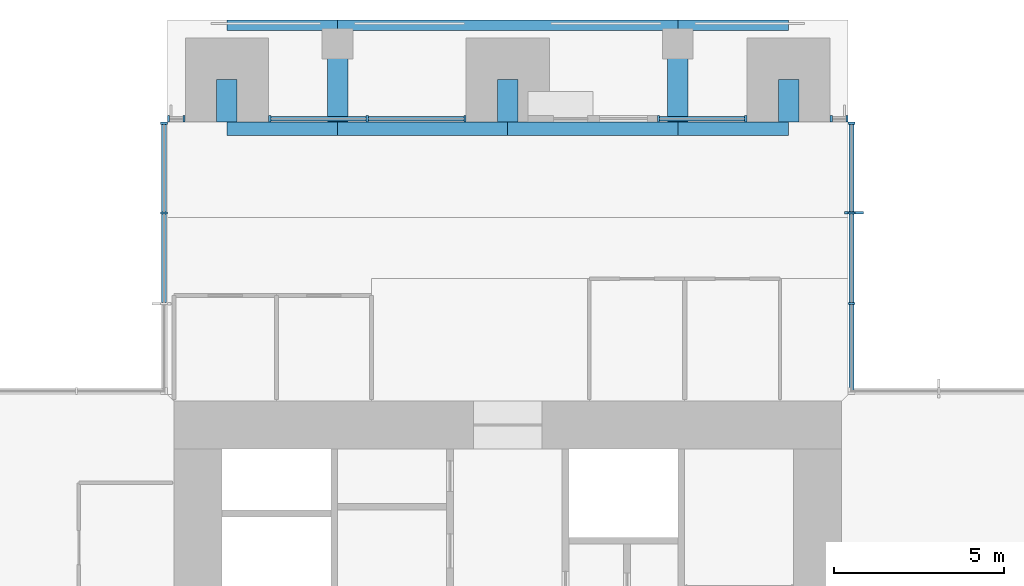
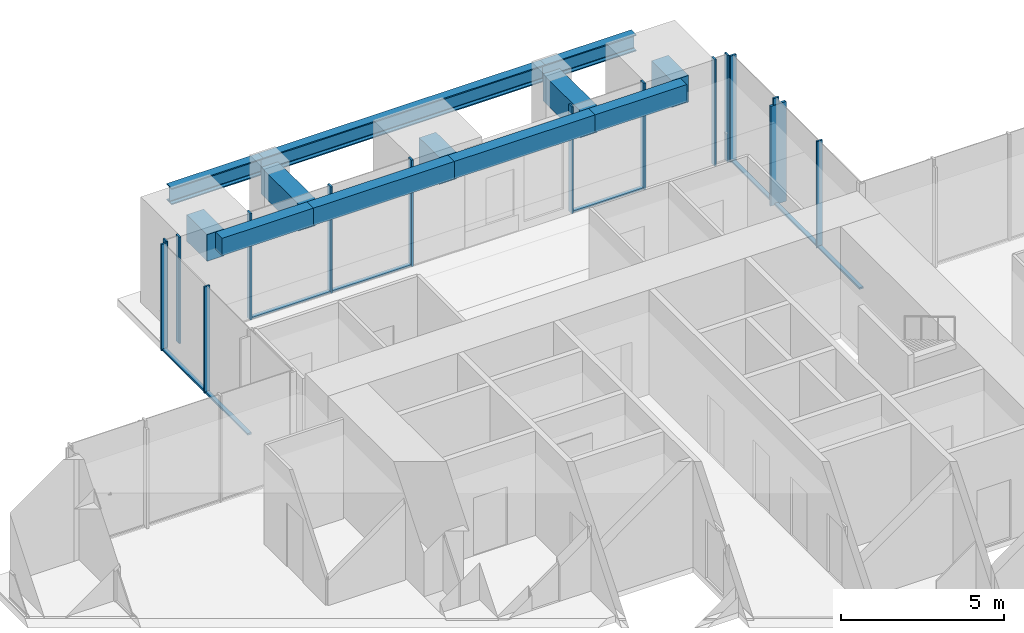
# One storey, part 5 of 17: 23 members, 12 beams, 6 elements without a shape of their own.
"""IFC4 building model written with IfcOpenShell, lengths in metres."""

from ifc_helpers import new_model, si_unit, direction, frame, origin, origin_2d, place, context, subcontext, project, spatial, rectangle, i_section, extrude, material, material_profile, profile_set, type_object, element, aggregate, save


model = new_model("IFC4")

# Units and contexts
model_context = context("Model", 3, precision=1e-05, world=origin(), true_north=direction((0.0, 1.0)))
body_context = subcontext(model_context, "Body", "Model", "MODEL_VIEW")
ifc_project = project(units=[si_unit("LENGTHUNIT", "METRE"), si_unit("AREAUNIT", "SQUARE_METRE"), si_unit("VOLUMEUNIT", "CUBIC_METRE"), si_unit("PLANEANGLEUNIT", "RADIAN"), si_unit("MASSUNIT", "GRAM", prefix="KILO")], contexts=[model_context])

# Site, building, storey
site_placement = place(None, origin())
site = spatial("IfcSite", under=ifc_project, at=site_placement, CompositionType="ELEMENT")
building_placement = place(site_placement, origin())
building = spatial("IfcBuilding", under=site, at=building_placement, Name="Svetlomir Tower", CompositionType="ELEMENT")
storey_placement = place(building_placement, frame((0.0, 0.0, 202.5)))
storey = spatial("IfcBuildingStorey", under=building, at=storey_placement, Name="L48", CompositionType="ELEMENT", Elevation=202.5)

# Curtain wall, members
ifc_material_1 = material(Name="Bronze anodised aluminium curtain wall", Category="aluminium")
curtain_wall_type = type_object("IfcCurtainWallType", Name="CURTAIN WALL CW1 TOWER OFFICE", PredefinedType="NOTDEFINED", material=ifc_material_1)
curtain_wall_1_placement = place(storey_placement, origin())
curtain_wall_1 = element("IfcCurtainWall", 1, at=curtain_wall_1_placement, inside=storey, type_object=curtain_wall_type, Name="Curtain wall CW1 L48", PredefinedType="NOTDEFINED")
ifc_material_2 = material(Name="Bronze anodised aluminium", Category="aluminium")
ifc_material_profile_1 = material_profile(ifc_material_2, rectangle(XDim=0.080078125, YDim=0.550048828125, at=origin_2d()), Name="FIN 80x550")
ifc_profile_set_1 = profile_set([ifc_material_profile_1], Name="Bronze anodised aluminium 6063-T6")
member_type_1 = type_object("IfcMemberType", Name="BRONZE FIN 80x550", PredefinedType="USERDEFINED", material=ifc_profile_set_1)
member_1_placement = place(storey_placement, frame((31.175048828125, 36.333251953125, 0.0), z_axis=(0.0, 0.0, 1.0), x_axis=(0.0, 1.0, 0.0)))
member_1 = element("IfcMember", 2, at=member_1_placement, type_object=member_type_1, Name="Bronze fin L48", ObjectType="FIN", PredefinedType="USERDEFINED", context=body_context, shape_type="SweptSolid", body=[
    extrude(rectangle(XDim=0.080078125, YDim=0.550048828125, at=origin_2d()), origin(), (0.0, 0.0, 1.0), 3.75),
])
ifc_material_3 = material(Name="Bronze anodised aluminium", Category="aluminium")
ifc_material_profile_2 = material_profile(ifc_material_3, rectangle(XDim=0.06494140625, YDim=0.199951171875, at=origin_2d()), Name="AL 65x200")
ifc_profile_set_2 = profile_set([ifc_material_profile_2], Name="Bronze anodised aluminium 6063-T6")
member_type_2 = type_object("IfcMemberType", Name="CW1 MULLION 65x200", PredefinedType="MULLION", material=ifc_profile_set_2)
member_2_placement = place(storey_placement, frame((31.10009765625, 33.666748046875, 0.0), z_axis=(0.0, 0.0, 1.0), x_axis=(0.0, 1.0, 0.0)))
member_2 = element("IfcMember", 3, at=member_2_placement, type_object=member_type_2, Name="CW1 mullion 2", PredefinedType="MULLION", context=body_context, shape_type="SweptSolid", body=[
    extrude(rectangle(XDim=0.06494140625, YDim=0.199951171875, at=origin_2d()), origin(), (0.0, 0.0, 1.0), 4.0),
])
member_3_placement = place(storey_placement, frame((31.10009765625, 36.333251953125, 0.0), z_axis=(0.0, 0.0, 1.0), x_axis=(0.0, 1.0, 0.0)))
member_3 = element("IfcMember", 4, at=member_3_placement, type_object=member_type_2, Name="CW1 mullion 3", PredefinedType="MULLION", context=body_context, shape_type="SweptSolid", body=[
    extrude(rectangle(XDim=0.06494140625, YDim=0.199951171875, at=origin_2d()), origin(), (0.0, 0.0, 1.0), 4.0),
])
member_4_placement = place(storey_placement, frame((31.10009765625, 38.967529296875, 0.0), z_axis=(0.0, 0.0, 1.0), x_axis=(0.0, 1.0, 0.0)))
member_4 = element("IfcMember", 5, at=member_4_placement, type_object=member_type_2, Name="CW1 mullion 4", PredefinedType="MULLION", context=body_context, shape_type="SweptSolid", body=[
    extrude(rectangle(XDim=0.06494140625, YDim=0.199951171875, at=origin_2d()), origin(), (0.0, 0.0, 1.0), 4.0),
])

curtain_wall_2_placement = place(storey_placement, origin())
curtain_wall_2 = element("IfcCurtainWall", 6, at=curtain_wall_2_placement, inside=storey, type_object=curtain_wall_type, Name="Curtain wall CW1 L48", PredefinedType="NOTDEFINED")
member_5_placement = place(storey_placement, frame((30.967529296875, 39.10009765625, 0.0), z_axis=(0.0, 0.0, 1.0), x_axis=(-1.0, 0.0, 0.0)))
member_5 = element("IfcMember", 7, at=member_5_placement, type_object=member_type_2, Name="CW1 mullion 1", PredefinedType="MULLION", context=body_context, shape_type="SweptSolid", body=[
    extrude(rectangle(XDim=0.06494140625, YDim=0.199951171875, at=origin_2d()), origin(), (0.0, 0.0, 1.0), 4.0),
])
member_6_placement = place(storey_placement, frame((30.507568359375, 39.10009765625, 0.0), z_axis=(0.0, 0.0, 1.0), x_axis=(-1.0, 0.0, 0.0)))
member_6 = element("IfcMember", 8, at=member_6_placement, type_object=member_type_2, Name="CW1 mullion 2", PredefinedType="MULLION", context=body_context, shape_type="SweptSolid", body=[
    extrude(rectangle(XDim=0.06494140625, YDim=0.199951171875, at=origin_2d()), origin(), (0.0, 0.0, 1.0), 4.0),
])
aggregate(curtain_wall_2, [member_5, member_6])

curtain_wall_3_placement = place(storey_placement, origin())
curtain_wall_3 = element("IfcCurtainWall", 9, at=curtain_wall_3_placement, inside=storey, type_object=curtain_wall_type, Name="Curtain wall CW1 L48", PredefinedType="NOTDEFINED")
member_7_placement = place(storey_placement, frame((27.992431640625, 39.10009765625, 0.0), z_axis=(0.0, 0.0, 1.0), x_axis=(-1.0, 0.0, 0.0)))
member_7 = element("IfcMember", 10, at=member_7_placement, type_object=member_type_2, Name="CW1 mullion 1", PredefinedType="MULLION", context=body_context, shape_type="SweptSolid", body=[
    extrude(rectangle(XDim=0.06494140625, YDim=0.199951171875, at=origin_2d()), origin(), (0.0, 0.0, 1.0), 4.0),
])
member_8_placement = place(storey_placement, frame((25.4326171875, 39.10009765625, 0.0), z_axis=(0.0, 0.0, 1.0), x_axis=(-1.0, 0.0, 0.0)))
member_8 = element("IfcMember", 11, at=member_8_placement, type_object=member_type_2, Name="CW1 mullion 2", PredefinedType="MULLION", context=body_context, shape_type="SweptSolid", body=[
    extrude(rectangle(XDim=0.06494140625, YDim=0.199951171875, at=origin_2d()), origin(), (0.0, 0.0, 1.0), 4.0),
])

curtain_wall_4_placement = place(storey_placement, origin())
curtain_wall_4 = element("IfcCurtainWall", 12, at=curtain_wall_4_placement, inside=storey, type_object=curtain_wall_type, Name="Curtain wall CW1 L48", PredefinedType="NOTDEFINED")
member_9_placement = place(storey_placement, frame((19.742431640625, 39.10009765625, 0.0), z_axis=(0.0, 0.0, 1.0), x_axis=(-1.0, 0.0, 0.0)))
member_9 = element("IfcMember", 13, at=member_9_placement, type_object=member_type_2, Name="CW1 mullion 1", PredefinedType="MULLION", context=body_context, shape_type="SweptSolid", body=[
    extrude(rectangle(XDim=0.06494140625, YDim=0.199951171875, at=origin_2d()), origin(), (0.0, 0.0, 1.0), 4.0),
])
member_10_placement = place(storey_placement, frame((16.875, 39.10009765625, 0.0), z_axis=(0.0, 0.0, 1.0), x_axis=(-1.0, 0.0, 0.0)))
member_10 = element("IfcMember", 14, at=member_10_placement, type_object=member_type_2, Name="CW1 mullion 2", PredefinedType="MULLION", context=body_context, shape_type="SweptSolid", body=[
    extrude(rectangle(XDim=0.06494140625, YDim=0.199951171875, at=origin_2d()), origin(), (0.0, 0.0, 1.0), 4.0),
])
member_11_placement = place(storey_placement, frame((14.007568359375, 39.10009765625, 0.0), z_axis=(0.0, 0.0, 1.0), x_axis=(-1.0, 0.0, 0.0)))
member_11 = element("IfcMember", 15, at=member_11_placement, type_object=member_type_2, Name="CW1 mullion 3", PredefinedType="MULLION", context=body_context, shape_type="SweptSolid", body=[
    extrude(rectangle(XDim=0.06494140625, YDim=0.199951171875, at=origin_2d()), origin(), (0.0, 0.0, 1.0), 4.0),
])

curtain_wall_5_placement = place(storey_placement, origin())
curtain_wall_5 = element("IfcCurtainWall", 16, at=curtain_wall_5_placement, inside=storey, type_object=curtain_wall_type, Name="Curtain wall CW1 L48", PredefinedType="NOTDEFINED")
member_12_placement = place(storey_placement, frame((11.492431640625, 39.10009765625, 0.0), z_axis=(0.0, 0.0, 1.0), x_axis=(-1.0, 0.0, 0.0)))
member_12 = element("IfcMember", 17, at=member_12_placement, type_object=member_type_2, Name="CW1 mullion 1", PredefinedType="MULLION", context=body_context, shape_type="SweptSolid", body=[
    extrude(rectangle(XDim=0.06494140625, YDim=0.199951171875, at=origin_2d()), origin(), (0.0, 0.0, 1.0), 4.0),
])
member_13_placement = place(storey_placement, frame((11.032470703125, 39.10009765625, 0.0), z_axis=(0.0, 0.0, 1.0), x_axis=(-1.0, 0.0, 0.0)))
member_13 = element("IfcMember", 18, at=member_13_placement, type_object=member_type_2, Name="CW1 mullion 2", PredefinedType="MULLION", context=body_context, shape_type="SweptSolid", body=[
    extrude(rectangle(XDim=0.06494140625, YDim=0.199951171875, at=origin_2d()), origin(), (0.0, 0.0, 1.0), 4.0),
])
aggregate(curtain_wall_5, [member_12, member_13])

curtain_wall_6_placement = place(storey_placement, origin())
curtain_wall_6 = element("IfcCurtainWall", 19, at=curtain_wall_6_placement, inside=storey, type_object=curtain_wall_type, Name="Curtain wall CW1 L48", PredefinedType="NOTDEFINED")
member_14_placement = place(storey_placement, frame((10.89990234375, 38.967529296875, 0.0), z_axis=(0.0, 0.0, 1.0), x_axis=(0.0, -1.0, 0.0)))
member_14 = element("IfcMember", 20, at=member_14_placement, type_object=member_type_2, Name="CW1 mullion 1", PredefinedType="MULLION", context=body_context, shape_type="SweptSolid", body=[
    extrude(rectangle(XDim=0.06494140625, YDim=0.199951171875, at=origin_2d()), origin(), (0.0, 0.0, 1.0), 4.0),
])
member_15_placement = place(storey_placement, frame((10.89990234375, 36.333251953125, 0.0), z_axis=(0.0, 0.0, 1.0), x_axis=(0.0, -1.0, 0.0)))
member_15 = element("IfcMember", 21, at=member_15_placement, type_object=member_type_2, Name="CW1 mullion 2", PredefinedType="MULLION", context=body_context, shape_type="SweptSolid", body=[
    extrude(rectangle(XDim=0.06494140625, YDim=0.199951171875, at=origin_2d()), origin(), (0.0, 0.0, 1.0), 4.0),
])

# Member
ifc_material_4 = material(Name="Bronze anodised aluminium", Category="aluminium")
ifc_material_profile_3 = material_profile(ifc_material_4, rectangle(XDim=0.139892578125, YDim=0.06494140625, at=origin_2d()), Name="AL 140x65")
ifc_profile_set_3 = profile_set([ifc_material_profile_3], Name="Bronze anodised aluminium 6063-T6")
member_type_3 = type_object("IfcMemberType", Name="CW1 TRANSOM 65x140", PredefinedType="USERDEFINED", material=ifc_profile_set_3)
member_16_placement = place(storey_placement, frame((31.10009765625, 31.06494140625, 0.032470703125), z_axis=(0.0, 1.0, 0.0), x_axis=(-1.0, 0.0, 0.0)))
member_16 = element("IfcMember", 22, at=member_16_placement, type_object=member_type_3, Name="CW1 transom 1.1", ObjectType="TRANSOM", PredefinedType="USERDEFINED", context=body_context, shape_type="SweptSolid", body=[
    extrude(rectangle(XDim=0.139892578125, YDim=0.06494140625, at=origin_2d()), origin(), (0.0, 0.0, 1.0), 2.5693359375),
])

member_17_placement = place(storey_placement, frame((31.10009765625, 33.69921875, 0.032470703125), z_axis=(0.0, 1.0, 0.0), x_axis=(-1.0, 0.0, 0.0)))
member_17 = element("IfcMember", 23, at=member_17_placement, type_object=member_type_3, Name="CW1 transom 2.1", ObjectType="TRANSOM", PredefinedType="USERDEFINED", context=body_context, shape_type="SweptSolid", body=[
    extrude(rectangle(XDim=0.139892578125, YDim=0.06494140625, at=origin_2d()), origin(), (0.0, 0.0, 1.0), 2.6015625),
])

member_18_placement = place(storey_placement, frame((31.10009765625, 36.36572265625, 0.032470703125), z_axis=(0.0, 1.0, 0.0), x_axis=(-1.0, 0.0, 0.0)))
member_18 = element("IfcMember", 24, at=member_18_placement, type_object=member_type_3, Name="CW1 transom 3.1", ObjectType="TRANSOM", PredefinedType="USERDEFINED", context=body_context, shape_type="SweptSolid", body=[
    extrude(rectangle(XDim=0.139892578125, YDim=0.06494140625, at=origin_2d()), origin(), (0.0, 0.0, 1.0), 2.5693359375),
])

aggregate(curtain_wall_1, [member_2, member_3, member_4, member_16, member_17, member_18, member_1])

member_19_placement = place(storey_placement, frame((27.9599609375, 39.10009765625, 0.032470703125), z_axis=(-1.0, 0.0, 0.0), x_axis=(0.0, -1.0, 0.0)))
member_19 = element("IfcMember", 25, at=member_19_placement, type_object=member_type_3, Name="CW1 transom 1.1", ObjectType="TRANSOM", PredefinedType="USERDEFINED", context=body_context, shape_type="SweptSolid", body=[
    extrude(rectangle(XDim=0.139892578125, YDim=0.06494140625, at=origin_2d()), origin(), (0.0, 0.0, 1.0), 2.494873046875),
])

aggregate(curtain_wall_3, [member_7, member_8, member_19])

member_20_placement = place(storey_placement, frame((19.7099609375, 39.10009765625, 0.032470703125), z_axis=(-1.0, 0.0, 0.0), x_axis=(0.0, -1.0, 0.0)))
member_20 = element("IfcMember", 26, at=member_20_placement, type_object=member_type_3, Name="CW1 transom 1.1", ObjectType="TRANSOM", PredefinedType="USERDEFINED", context=body_context, shape_type="SweptSolid", body=[
    extrude(rectangle(XDim=0.139892578125, YDim=0.06494140625, at=origin_2d()), origin(), (0.0, 0.0, 1.0), 2.802490234375),
])

member_21_placement = place(storey_placement, frame((16.842529296875, 39.10009765625, 0.032470703125), z_axis=(-1.0, 0.0, 0.0), x_axis=(0.0, -1.0, 0.0)))
member_21 = element("IfcMember", 27, at=member_21_placement, type_object=member_type_3, Name="CW1 transom 2.1", ObjectType="TRANSOM", PredefinedType="USERDEFINED", context=body_context, shape_type="SweptSolid", body=[
    extrude(rectangle(XDim=0.139892578125, YDim=0.06494140625, at=origin_2d()), origin(), (0.0, 0.0, 1.0), 2.802490234375),
])

aggregate(curtain_wall_4, [member_9, member_10, member_11, member_20, member_21])

member_22_placement = place(storey_placement, frame((10.89990234375, 38.93505859375, 0.032470703125), z_axis=(0.0, -1.0, 0.0), x_axis=(1.0, 0.0, 0.0)))
member_22 = element("IfcMember", 28, at=member_22_placement, type_object=member_type_3, Name="CW1 transom 1.1", ObjectType="TRANSOM", PredefinedType="USERDEFINED", context=body_context, shape_type="SweptSolid", body=[
    extrude(rectangle(XDim=0.139892578125, YDim=0.06494140625, at=origin_2d()), origin(), (0.0, 0.0, 1.0), 2.5693359375),
])

member_23_placement = place(storey_placement, frame((10.89990234375, 36.30078125, 0.032470703125), z_axis=(0.0, -1.0, 0.0), x_axis=(1.0, 0.0, 0.0)))
member_23 = element("IfcMember", 29, at=member_23_placement, type_object=member_type_3, Name="CW1 transom 2.1", ObjectType="TRANSOM", PredefinedType="USERDEFINED", context=body_context, shape_type="SweptSolid", body=[
    extrude(rectangle(XDim=0.139892578125, YDim=0.06494140625, at=origin_2d()), origin(), (0.0, 0.0, 1.0), 2.6015625),
])

aggregate(curtain_wall_6, [member_14, member_15, member_22, member_23])

# Beams
ifc_material_5 = material(Name="Steel S355", Category="steel")
ifc_material_profile_4 = material_profile(ifc_material_5, i_section(OverallWidth=0.304931640625, OverallDepth=0.6201171875, WebThickness=0.02099609375, FlangeThickness=0.0400390625, FilletRadius=0.027099609375, at=origin_2d()), Name="HEM 600")
ifc_profile_set_4 = profile_set([ifc_material_profile_4], Name="Steel S355")
beam_type_1 = type_object("IfcBeamType", Name="EDGE BEAM HEM 600", PredefinedType="SPANDREL", material=ifc_profile_set_4)
beam_1_placement = place(storey_placement, frame((12.75, 41.847412109375, 3.43994140625), z_axis=(1.0, 0.0, 0.0), x_axis=(0.0, 1.0, 0.0)))
element("IfcBeam", 30, at=beam_1_placement, inside=storey, type_object=beam_type_1, Name="Edge beam 11/42 to 16/42 under L49", PredefinedType="SPANDREL", context=body_context, shape_type="SweptSolid", body=[
    extrude(i_section(OverallWidth=0.304931640625, OverallDepth=0.6201171875, WebThickness=0.02099609375, FlangeThickness=0.0400390625, FilletRadius=0.027099609375, at=origin_2d()), origin(), (0.0, 0.0, 1.0), 3.25),
])
beam_2_placement = place(storey_placement, frame((16.0, 41.847412109375, 3.43994140625), z_axis=(1.0, 0.0, 0.0), x_axis=(0.0, 1.0, 0.0)))
element("IfcBeam", 31, at=beam_2_placement, inside=storey, type_object=beam_type_1, Name="Edge beam 16/42 to 26/42 under L49", PredefinedType="SPANDREL", context=body_context, shape_type="SweptSolid", body=[
    extrude(i_section(OverallWidth=0.304931640625, OverallDepth=0.6201171875, WebThickness=0.02099609375, FlangeThickness=0.0400390625, FilletRadius=0.027099609375, at=origin_2d()), origin(), (0.0, 0.0, 1.0), 10.0),
])
beam_3_placement = place(storey_placement, frame((26.0, 41.847412109375, 3.43994140625), z_axis=(1.0, 0.0, 0.0), x_axis=(0.0, 1.0, 0.0)))
element("IfcBeam", 32, at=beam_3_placement, inside=storey, type_object=beam_type_1, Name="Edge beam 26/42 to 31/42 under L49", PredefinedType="SPANDREL", context=body_context, shape_type="SweptSolid", body=[
    extrude(i_section(OverallWidth=0.304931640625, OverallDepth=0.6201171875, WebThickness=0.02099609375, FlangeThickness=0.0400390625, FilletRadius=0.027099609375, at=origin_2d()), origin(), (0.0, 0.0, 1.0), 3.25),
])
ifc_material_6 = material(Name="Concrete C60/75", Category="concrete")
ifc_material_profile_5 = material_profile(ifc_material_6, rectangle(XDim=0.39990234375, YDim=0.64990234375, at=origin_2d()), Name="RC 400x650")
ifc_profile_set_5 = profile_set([ifc_material_profile_5], Name="Concrete C60/75")
beam_type_2 = type_object("IfcBeamType", Name="FACADE EDGE BEAM RC 400x650", PredefinedType="BEAM", material=ifc_profile_set_5)
beam_4_placement = place(storey_placement, frame((12.75, 38.800048828125, 3.425048828125), z_axis=(1.0, 0.0, 0.0), x_axis=(0.0, 1.0, 0.0)))
element("IfcBeam", 33, at=beam_4_placement, inside=storey, type_object=beam_type_2, Name="Facade edge beam N 11 to 16 under L49", PredefinedType="BEAM", context=body_context, shape_type="SweptSolid", body=[
    extrude(rectangle(XDim=0.39990234375, YDim=0.64990234375, at=origin_2d()), origin(), (0.0, 0.0, 1.0), 3.25),
])
for number, where, z_axis, x_axis, name in (
    (34, (16.0, 38.800048828125, 3.425048828125), (1.0, 0.0, 0.0), (0.0, 1.0, 0.0), "Facade edge beam N 16 to 21 under L49"),
    (35, (21.0, 38.800048828125, 3.425048828125), (1.0, 0.0, 0.0), (0.0, 1.0, 0.0), "Facade edge beam N 21 to 26 under L49"),
):
    element("IfcBeam", number, at=place(storey_placement, frame(where, z_axis=z_axis, x_axis=x_axis)), inside=storey, type_object=beam_type_2, Name=name, PredefinedType="BEAM", context=body_context, shape_type="SweptSolid", body=[
        extrude(rectangle(XDim=0.39990234375, YDim=0.64990234375, at=origin_2d()), origin(), (0.0, 0.0, 1.0), 5.0),
    ])
beam_5_placement = place(storey_placement, frame((26.0, 38.800048828125, 3.425048828125), z_axis=(1.0, 0.0, 0.0), x_axis=(0.0, 1.0, 0.0)))
element("IfcBeam", 36, at=beam_5_placement, inside=storey, type_object=beam_type_2, Name="Facade edge beam N 26 to 31 under L49", PredefinedType="BEAM", context=body_context, shape_type="SweptSolid", body=[
    extrude(rectangle(XDim=0.39990234375, YDim=0.64990234375, at=origin_2d()), origin(), (0.0, 0.0, 1.0), 3.25),
])
ifc_material_7 = material(Name="Concrete C60/75", Category="concrete")
ifc_material_profile_6 = material_profile(ifc_material_7, rectangle(XDim=0.60009765625, YDim=1.0, at=origin_2d()), Name="RC 600x1000")
ifc_profile_set_6 = profile_set([ifc_material_profile_6], Name="Concrete C60/75")
beam_type_3 = type_object("IfcBeamType", Name="LOGGIA LINK BEAM RC 600x1000", PredefinedType="BEAM", material=ifc_profile_set_6)
beam_6_placement = place(storey_placement, frame((12.75, 40.25, 3.25), z_axis=(0.0, -1.0, 0.0), x_axis=(1.0, 0.0, 0.0)))
element("IfcBeam", 37, at=beam_6_placement, inside=storey, type_object=beam_type_3, Name="Loggia link beam N 11 under L49", PredefinedType="BEAM", context=body_context, shape_type="SweptSolid", body=[
    extrude(rectangle(XDim=0.60009765625, YDim=1.0, at=origin_2d()), origin(), (0.0, 0.0, 1.0), 1.25),
])
beam_7_placement = place(storey_placement, frame((16.0, 41.300048828125, 3.25), z_axis=(0.0, -1.0, 0.0), x_axis=(1.0, 0.0, 0.0)))
element("IfcBeam", 38, at=beam_7_placement, inside=storey, type_object=beam_type_3, Name="Loggia link beam N 16 under L49", PredefinedType="BEAM", context=body_context, shape_type="SweptSolid", body=[
    extrude(rectangle(XDim=0.60009765625, YDim=1.0, at=origin_2d()), origin(), (0.0, 0.0, 1.0), 2.300048828125),
])
beam_8_placement = place(storey_placement, frame((21.0, 40.25, 3.25), z_axis=(0.0, -1.0, 0.0), x_axis=(1.0, 0.0, 0.0)))
element("IfcBeam", 39, at=beam_8_placement, inside=storey, type_object=beam_type_3, Name="Loggia link beam N 21 under L49", PredefinedType="BEAM", context=body_context, shape_type="SweptSolid", body=[
    extrude(rectangle(XDim=0.60009765625, YDim=1.0, at=origin_2d()), origin(), (0.0, 0.0, 1.0), 1.25),
])
beam_9_placement = place(storey_placement, frame((26.0, 41.300048828125, 3.25), z_axis=(0.0, -1.0, 0.0), x_axis=(1.0, 0.0, 0.0)))
element("IfcBeam", 40, at=beam_9_placement, inside=storey, type_object=beam_type_3, Name="Loggia link beam N 26 under L49", PredefinedType="BEAM", context=body_context, shape_type="SweptSolid", body=[
    extrude(rectangle(XDim=0.60009765625, YDim=1.0, at=origin_2d()), origin(), (0.0, 0.0, 1.0), 2.300048828125),
])
beam_10_placement = place(storey_placement, frame((29.25, 40.25, 3.25), z_axis=(0.0, -1.0, 0.0), x_axis=(1.0, 0.0, 0.0)))
element("IfcBeam", 41, at=beam_10_placement, inside=storey, type_object=beam_type_3, Name="Loggia link beam N 31 under L49", PredefinedType="BEAM", context=body_context, shape_type="SweptSolid", body=[
    extrude(rectangle(XDim=0.60009765625, YDim=1.0, at=origin_2d()), origin(), (0.0, 0.0, 1.0), 1.25),
])

save(model, "model.ifc")
